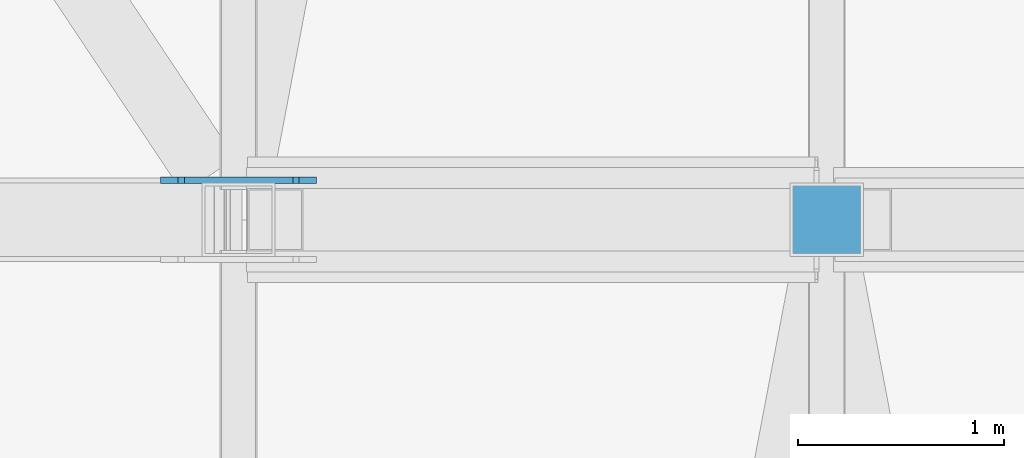
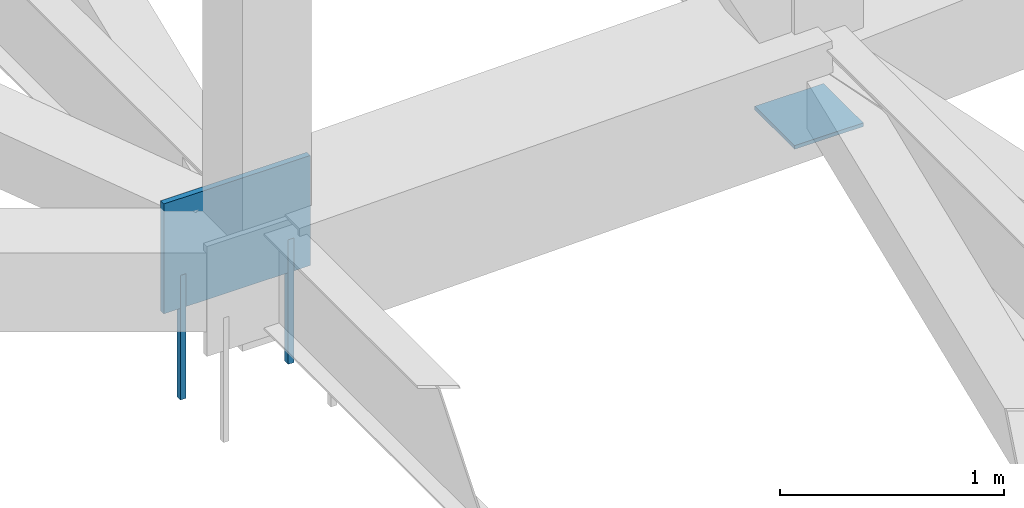
# One storey, part 162 of 278: 2 discrete accessories, 2 mechanical fasteners.
"""IFC4 building model written with IfcOpenShell, lengths in metres."""

from ifc_helpers import new_model, si_unit, direction, frame, origin, origin_2d, place, context, subcontext, project, spatial, rectangle, extrude, material, layer, layer_set, type_object, element, save


model = new_model("IFC4")

# Units and contexts
model_context = context("Model", 3, precision=1e-05, world=origin(), true_north=direction((0.0, 1.0)))
body_context = subcontext(model_context, "Body", "Model", "MODEL_VIEW")
ifc_project = project(units=[si_unit("LENGTHUNIT", "METRE"), si_unit("AREAUNIT", "SQUARE_METRE"), si_unit("VOLUMEUNIT", "CUBIC_METRE"), si_unit("PLANEANGLEUNIT", "RADIAN"), si_unit("MASSUNIT", "GRAM", prefix="KILO")], contexts=[model_context])

# Site, building, storey
site_placement = place(None, origin())
site = spatial("IfcSite", under=ifc_project, at=site_placement, CompositionType="ELEMENT")
building_placement = place(site_placement, origin())
building = spatial("IfcBuilding", under=site, at=building_placement, Name="Ogive Plaza Stadium", CompositionType="ELEMENT")
storey_placement = place(building_placement, frame((0.0, 0.0, 29.0)))
storey = spatial("IfcBuildingStorey", under=building, at=storey_placement, Name="Roof", CompositionType="ELEMENT", Elevation=29.0)

# Mechanical fasteners
ifc_material_1 = material(Name="Steel ASTM A992 Grade 50", Category="steel")
mechanical_fastener_type = type_object("IfcMechanicalFastenerType", Name="Anchor bolt M30 x 600", PredefinedType="ANCHORBOLT", material=ifc_material_1)
for number, where, z_axis, x_axis, name in (
    (1, (-74.27783203125, -7.30810546875, -0.5), (0.0, 0.0, 1.0), (-1.0, 0.0, 0.0), "ANCHOR BOLT 24 BP 2.1"),
    (2, (-73.72216796875, -7.30810546875, -0.5), (0.0, 0.0, 1.0), (-1.0, 0.0, 0.0), "ANCHOR BOLT 24 BP 2.2"),
):
    element("IfcMechanicalFastener", number, at=place(storey_placement, frame(where, z_axis=z_axis, x_axis=x_axis)), inside=storey, type_object=mechanical_fastener_type, Name=name, PredefinedType="ANCHORBOLT", context=body_context, shape_type="SweptSolid", body=[
        extrude(rectangle(XDim=0.030029296875, YDim=0.030029296875, at=origin_2d()), origin(), (0.0, 0.0, 1.0), 0.679931640625),
    ])

# Discrete accessories
ifc_material_2 = material(Name="Steel ASTM A992 Grade 50", Category="steel")
ifc_layer_1 = layer(ifc_material_2, 0.02001953125)
ifc_layer_set_1 = layer_set([ifc_layer_1], Name="Steel ASTM A992 Grade 50")
discrete_accessory_type_1 = type_object("IfcDiscreteAccessoryType", Name="Roof truss post cap plate 20", PredefinedType="ANCHORPLATE", material=ifc_layer_set_1)
discrete_accessory_1_placement = place(storey_placement, frame((-71.14990234375, -7.5, 0.04541015625), z_axis=(0.0, 0.0, 1.0), x_axis=(-1.0, 0.0, 0.0)))
element("IfcDiscreteAccessory", 3, at=discrete_accessory_1_placement, inside=storey, type_object=discrete_accessory_type_1, Name="ROOF TRUSS POST CAP PLATE 24 10", PredefinedType="ANCHORPLATE", context=body_context, shape_type="SweptSolid", body=[
    extrude(rectangle(XDim=0.355712890625, YDim=0.355712890625, at=origin_2d()), origin(), (0.0, 0.0, 1.0), 0.02001953125),
])
ifc_material_3 = material(Name="Steel ASTM A992 Grade 50", Category="steel")
ifc_layer_2 = layer(ifc_material_3, 0.030029296875)
ifc_layer_set_2 = layer_set([ifc_layer_2], Name="Steel ASTM A992 Grade 50")
discrete_accessory_type_2 = type_object("IfcDiscreteAccessoryType", Name="Truss root foot cleat plate 30", PredefinedType="ANCHORPLATE", material=ifc_layer_set_2)
discrete_accessory_2_placement = place(storey_placement, frame((-74.0, -7.30810546875, 0.0), z_axis=(0.0, 0.0, 1.0), x_axis=(-1.0, 0.0, 0.0)))
element("IfcDiscreteAccessory", 4, at=discrete_accessory_2_placement, inside=storey, type_object=discrete_accessory_type_2, Name="TRUSS ROOT FOOT CLEAT PLATE 24 2", PredefinedType="ANCHORPLATE", context=body_context, shape_type="SweptSolid", body=[
    extrude(rectangle(XDim=0.755615234375, YDim=0.030029296875, at=origin_2d()), origin(), (0.0, 0.0, 1.0), 0.60009765625),
])

save(model, "model.ifc")
